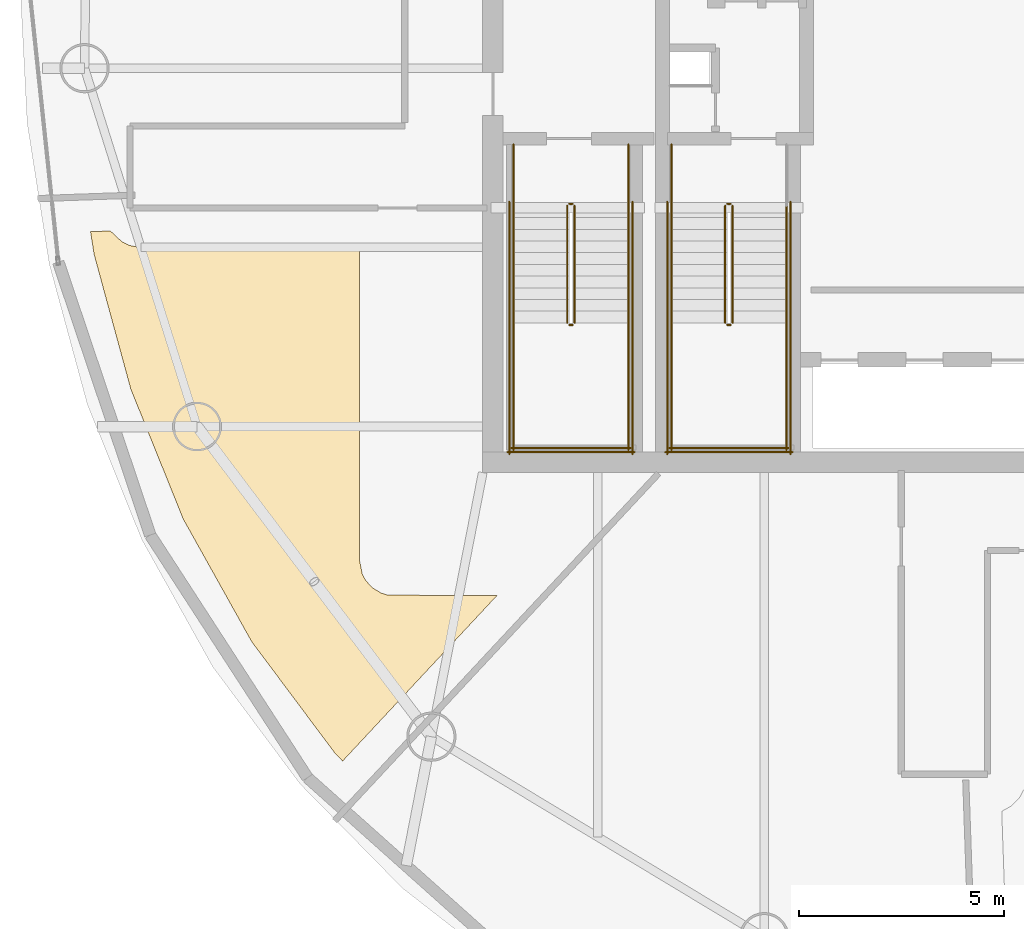
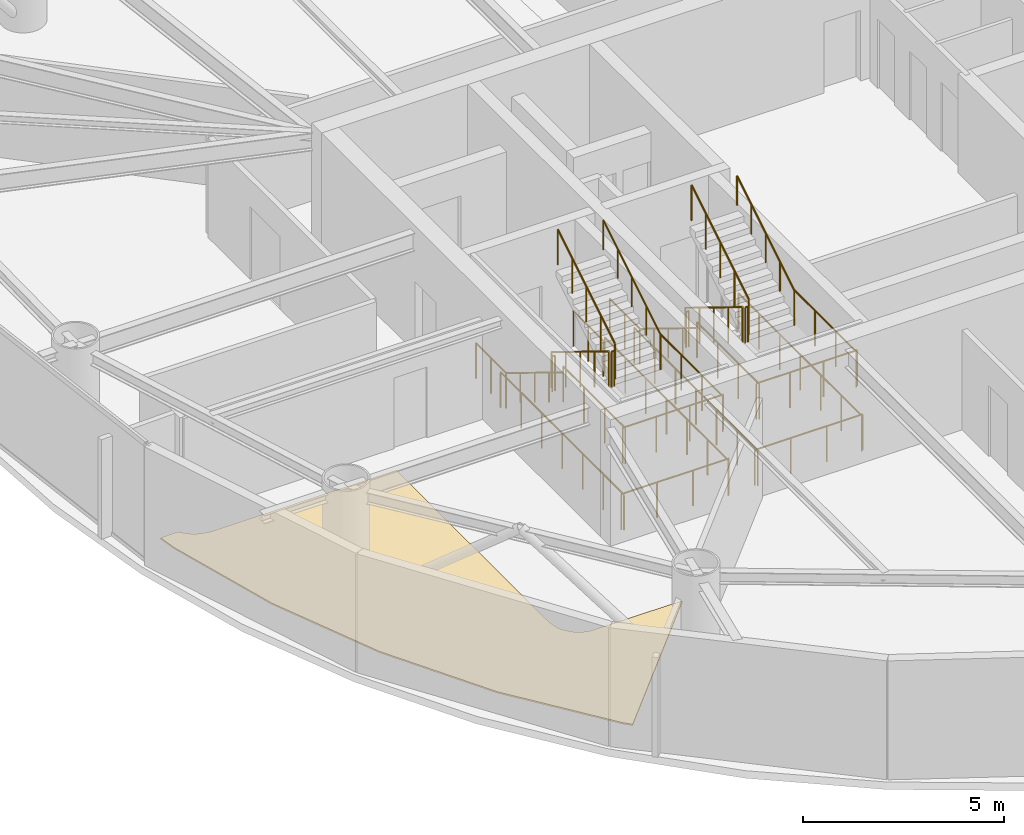
# One storey, part 18 of 20: 27 railings, 1 covering.
"""IFC4 building model written with IfcOpenShell, lengths in metres."""

from ifc_helpers import new_model, si_unit, direction, frame, origin, origin_2d, place, context, subcontext, project, spatial, polyline, circle, outline, extrude, material, layer, layer_set, type_object, element, save


model = new_model("IFC4")

# Units and contexts
model_context = context("Model", 3, precision=1e-05, world=origin(), true_north=direction((0.0, 1.0)))
body_context = subcontext(model_context, "Body", "Model", "MODEL_VIEW")
ifc_project = project(units=[si_unit("LENGTHUNIT", "METRE"), si_unit("AREAUNIT", "SQUARE_METRE"), si_unit("VOLUMEUNIT", "CUBIC_METRE"), si_unit("PLANEANGLEUNIT", "RADIAN"), si_unit("MASSUNIT", "GRAM", prefix="KILO")], contexts=[model_context])

# Site, building, storey
site_placement = place(None, origin())
site = spatial("IfcSite", under=ifc_project, at=site_placement, CompositionType="ELEMENT")
building_placement = place(site_placement, origin())
building = spatial("IfcBuilding", under=site, at=building_placement, Name="Bramvorn Convention Spire", CompositionType="ELEMENT")
storey_placement = place(building_placement, frame((0.0, 0.0, 228.949951171875)))
storey = spatial("IfcBuildingStorey", under=building, at=storey_placement, Name="L58", CompositionType="ELEMENT", Elevation=228.949951171875)

# Covering
ifc_material_1 = material(Name="Calcium-Sulphate Raised Access Office Floor", Category="steel")
ifc_layer = layer(ifc_material_1, 0.044921875)
ifc_layer_set = layer_set([ifc_layer], Name="Calcium-Sulphate Raised Access Office Floor - FLR-RAISED-45")
covering_type = type_object("IfcCoveringType", Name="FLR-RAISED-45", PredefinedType="FLOORING", material=ifc_layer_set)
covering_placement = place(storey_placement, origin())
element("IfcCovering", 1, at=covering_placement, inside=storey, type_object=covering_type, Name="L58 Galley Kitchen 5 raised floor finish", PredefinedType="FLOORING", context=body_context, shape_type="SweptSolid", body=[
    extrude(outline(polyline([(17.191650390625, 24.4228515625), (17.27978515625, 23.8662109375), (18.174072265625, 20.5849609375), (19.452880859375, 17.4150390625), (21.1181640625, 14.43212890625), (23.15869140625, 11.698974609375), (23.334716796875, 11.519775390625), (27.093017578125, 15.550048828125), (24.43408203125, 15.56640625), (24.274658203125, 15.61474609375), (24.060791015625, 15.742919921875), (23.893310546875, 15.927734375), (23.814697265625, 16.07470703125), (23.75, 16.39990234375), (23.75, 24.030029296875), (18.412109375, 24.03173828125), (18.136962890625, 24.087890625), (17.960693359375, 24.1728515625), (17.67529296875, 24.439697265625), (17.191650390625, 24.4228515625)])), origin(), (0.0, 0.0, 1.0), 0.045166015625),
])

# Railings
ifc_material_2 = material(Name="Painted Steel Balustrade & Guardrail", Category="steel")
railing_type_1 = type_object("IfcRailingType", Name="RL-STAIR-GUARD-1100", PredefinedType="GUARDRAIL", material=ifc_material_2)
railing_1_placement = place(storey_placement, frame((28.81005859375, 25.050048828125, 0.175048828125)))
element("IfcRailing", 2, at=railing_1_placement, inside=storey, type_object=railing_type_1, Name="L58 ST1 stair guard 1", PredefinedType="GUARDRAIL", context=body_context, shape_type="SweptSolid", body=[
    extrude(circle(Radius=0.02392578125, at=origin_2d()), frame((0.0, 0.0, 1.076171875), z_axis=(0.0, -0.852179220489, 0.52325001306), x_axis=(1.0, 0.0, 0.0)), (0.0, 0.0, 1.0), 3.344482421875),
    extrude(circle(Radius=0.02099609375, at=origin_2d()), origin(), (0.0, 0.0, 1.0), 1.052001953125),
    extrude(circle(Radius=0.02099609375, at=origin_2d()), frame((0.0, -0.71240234375, 0.4375)), (0.0, 0.0, 1.0), 1.052001953125),
    extrude(circle(Radius=0.02099609375, at=origin_2d()), frame((0.0, -1.425048828125, 0.875)), (0.0, 0.0, 1.0), 1.052001953125),
    extrude(circle(Radius=0.02099609375, at=origin_2d()), frame((0.0, -2.1376953125, 1.3125)), (0.0, 0.0, 1.0), 1.052001953125),
    extrude(circle(Radius=0.02099609375, at=origin_2d()), frame((0.0, -2.85009765625, 1.75)), (0.0, 0.0, 1.0), 1.052001953125),
])
railing_2_placement = place(storey_placement, frame((28.860107421875, 22.14990234375, 1.925048828125)))
element("IfcRailing", 3, at=railing_2_placement, inside=storey, type_object=railing_type_1, Name="L58 ST1 stair guard 2", PredefinedType="GUARDRAIL", context=body_context, shape_type="SweptSolid", body=[
    extrude(circle(Radius=0.02392578125, at=origin_2d()), frame((0.0, 0.0, 1.076171875), z_axis=(1.0, 0.0, 0.0), x_axis=(0.0, 1.0, 0.0)), (0.0, 0.0, 1.0), 0.079833984375),
    extrude(circle(Radius=0.02099609375, at=origin_2d()), origin(), (0.0, 0.0, 1.0), 1.052001953125),
    extrude(circle(Radius=0.02099609375, at=origin_2d()), frame((0.079833984375, 0.0, 0.0)), (0.0, 0.0, 1.0), 1.052001953125),
])
for number, where, name in (
    (4, (27.5, 22.199951171875, 1.925048828125), "L58 ST1 stair guard 3"),
    (5, (30.300048828125, 22.199951171875, 1.925048828125), "L58 ST1 stair guard 4"),
):
    element("IfcRailing", number, at=place(storey_placement, frame(where)), inside=storey, type_object=railing_type_1, Name=name, PredefinedType="GUARDRAIL", context=body_context, shape_type="SweptSolid", body=[
        extrude(circle(Radius=0.02392578125, at=origin_2d()), frame((0.0, 0.0, 1.076171875), z_axis=(0.0, -1.0, 0.0), x_axis=(1.0, 0.0, 0.0)), (0.0, 0.0, 1.0), 3.099853515625),
        extrude(circle(Radius=0.02099609375, at=origin_2d()), origin(), (0.0, 0.0, 1.0), 1.052001953125),
        extrude(circle(Radius=0.02099609375, at=origin_2d()), frame((0.0, -1.033203125, 0.0)), (0.0, 0.0, 1.0), 1.052001953125),
        extrude(circle(Radius=0.02099609375, at=origin_2d()), frame((0.0, -2.066650390625, 0.0)), (0.0, 0.0, 1.0), 1.052001953125),
        extrude(circle(Radius=0.02099609375, at=origin_2d()), frame((0.0, -3.099853515625, 0.0)), (0.0, 0.0, 1.0), 1.052001953125),
    ])
railing_3_placement = place(storey_placement, frame((27.449951171875, 19.14990234375, 1.925048828125)))
element("IfcRailing", 6, at=railing_3_placement, inside=storey, type_object=railing_type_1, Name="L58 ST1 stair guard 5", PredefinedType="GUARDRAIL", context=body_context, shape_type="SweptSolid", body=[
    extrude(circle(Radius=0.02392578125, at=origin_2d()), frame((0.0, 0.0, 1.076171875), z_axis=(1.0, 0.0, 0.0), x_axis=(0.0, 1.0, 0.0)), (0.0, 0.0, 1.0), 2.900146484375),
    extrude(circle(Radius=0.02099609375, at=origin_2d()), origin(), (0.0, 0.0, 1.0), 1.052001953125),
    extrude(circle(Radius=0.02099609375, at=origin_2d()), frame((0.966796875, 0.0, 0.0)), (0.0, 0.0, 1.0), 1.052001953125),
    extrude(circle(Radius=0.02099609375, at=origin_2d()), frame((1.933349609375, 0.0, 0.0)), (0.0, 0.0, 1.0), 1.052001953125),
    extrude(circle(Radius=0.02099609375, at=origin_2d()), frame((2.900146484375, 0.0, 0.0)), (0.0, 0.0, 1.0), 1.052001953125),
])
railing_4_placement = place(storey_placement, frame((28.989990234375, 22.199951171875, 2.10009765625)))
element("IfcRailing", 7, at=railing_4_placement, inside=storey, type_object=railing_type_1, Name="L58 ST1 stair guard 6", PredefinedType="GUARDRAIL", context=body_context, shape_type="SweptSolid", body=[
    extrude(circle(Radius=0.02392578125, at=origin_2d()), frame((0.0, 0.0, 1.076171875), z_axis=(0.0, 0.852179220489, 0.52325001306), x_axis=(-1.0, 0.0, 0.0)), (0.0, 0.0, 1.0), 3.344482421875),
    extrude(circle(Radius=0.02099609375, at=origin_2d()), origin(), (0.0, 0.0, 1.0), 1.052001953125),
    extrude(circle(Radius=0.02099609375, at=origin_2d()), frame((0.0, 0.71240234375, 0.4375)), (0.0, 0.0, 1.0), 1.052001953125),
    extrude(circle(Radius=0.02099609375, at=origin_2d()), frame((0.0, 1.425048828125, 0.875)), (0.0, 0.0, 1.0), 1.052001953125),
    extrude(circle(Radius=0.02099609375, at=origin_2d()), frame((0.0, 2.1376953125, 1.3125)), (0.0, 0.0, 1.0), 1.052001953125),
    extrude(circle(Radius=0.02099609375, at=origin_2d()), frame((0.0, 2.85009765625, 1.75)), (0.0, 0.0, 1.0), 1.052001953125),
])
railing_5_placement = place(storey_placement, frame((28.860107421875, 25.10009765625, 0.0)))
element("IfcRailing", 8, at=railing_5_placement, inside=storey, type_object=railing_type_1, Name="L58 ST1 stair guard 7", PredefinedType="GUARDRAIL", context=body_context, shape_type="SweptSolid", body=[
    extrude(circle(Radius=0.02392578125, at=origin_2d()), frame((0.0, 0.0, 1.076171875), z_axis=(1.0, 0.0, 0.0), x_axis=(0.0, 1.0, 0.0)), (0.0, 0.0, 1.0), 0.079833984375),
    extrude(circle(Radius=0.02099609375, at=origin_2d()), origin(), (0.0, 0.0, 1.0), 1.052001953125),
    extrude(circle(Radius=0.02099609375, at=origin_2d()), frame((0.079833984375, 0.0, 0.0)), (0.0, 0.0, 1.0), 1.052001953125),
])
for number, where, name in (
    (9, (27.5, 26.550048828125, 0.0), "L58 ST1 stair guard 8"),
    (10, (30.300048828125, 26.550048828125, 0.0), "L58 ST1 stair guard 9"),
):
    element("IfcRailing", number, at=place(storey_placement, frame(where)), inside=storey, type_object=railing_type_1, Name=name, PredefinedType="GUARDRAIL", context=body_context, shape_type="SweptSolid", body=[
        extrude(circle(Radius=0.02392578125, at=origin_2d()), frame((0.0, 0.0, 1.076171875), z_axis=(0.0, -1.0, 0.0), x_axis=(1.0, 0.0, 0.0)), (0.0, 0.0, 1.0), 1.5),
        extrude(circle(Radius=0.02099609375, at=origin_2d()), origin(), (0.0, 0.0, 1.0), 1.052001953125),
        extrude(circle(Radius=0.02099609375, at=origin_2d()), frame((0.0, -0.75, 0.0)), (0.0, 0.0, 1.0), 1.052001953125),
        extrude(circle(Radius=0.02099609375, at=origin_2d()), frame((0.0, -1.5, 0.0)), (0.0, 0.0, 1.0), 1.052001953125),
    ])
for number, where, name in (
    (11, (27.39990234375, 25.14990234375, 0.0), "L58 ST1 stair guard 10"),
    (12, (30.39990234375, 25.14990234375, 0.0), "L58 ST1 stair guard 11"),
):
    element("IfcRailing", number, at=place(storey_placement, frame(where)), inside=storey, type_object=railing_type_1, Name=name, PredefinedType="GUARDRAIL", context=body_context, shape_type="SweptSolid", body=[
        extrude(circle(Radius=0.02392578125, at=origin_2d()), frame((0.0, 0.0, 1.076171875), z_axis=(0.0, -1.0, 0.0), x_axis=(1.0, 0.0, 0.0)), (0.0, 0.0, 1.0), 6.14990234375),
        extrude(circle(Radius=0.02099609375, at=origin_2d()), origin(), (0.0, 0.0, 1.0), 1.052001953125),
        extrude(circle(Radius=0.02099609375, at=origin_2d()), frame((0.0, -1.02490234375, 0.0)), (0.0, 0.0, 1.0), 1.052001953125),
        extrude(circle(Radius=0.02099609375, at=origin_2d()), frame((0.0, -2.050048828125, 0.0)), (0.0, 0.0, 1.0), 1.052001953125),
        extrude(circle(Radius=0.02099609375, at=origin_2d()), frame((0.0, -3.074951171875, 0.0)), (0.0, 0.0, 1.0), 1.052001953125),
        extrude(circle(Radius=0.02099609375, at=origin_2d()), frame((0.0, -4.099853515625, 0.0)), (0.0, 0.0, 1.0), 1.052001953125),
        extrude(circle(Radius=0.02099609375, at=origin_2d()), frame((0.0, -5.125, 0.0)), (0.0, 0.0, 1.0), 1.052001953125),
        extrude(circle(Radius=0.02099609375, at=origin_2d()), frame((0.0, -6.14990234375, 0.0)), (0.0, 0.0, 1.0), 1.052001953125),
    ])
railing_6_placement = place(storey_placement, frame((27.35009765625, 19.050048828125, 0.0)))
element("IfcRailing", 13, at=railing_6_placement, inside=storey, type_object=railing_type_1, Name="L58 ST1 stair guard 12", PredefinedType="GUARDRAIL", context=body_context, shape_type="SweptSolid", body=[
    extrude(circle(Radius=0.02392578125, at=origin_2d()), frame((0.0, 0.0, 1.076171875), z_axis=(1.0, 0.0, 0.0), x_axis=(0.0, 1.0, 0.0)), (0.0, 0.0, 1.0), 3.099853515625),
    extrude(circle(Radius=0.02099609375, at=origin_2d()), origin(), (0.0, 0.0, 1.0), 1.052001953125),
    extrude(circle(Radius=0.02099609375, at=origin_2d()), frame((1.033203125, 0.0, 0.0)), (0.0, 0.0, 1.0), 1.052001953125),
    extrude(circle(Radius=0.02099609375, at=origin_2d()), frame((2.066650390625, 0.0, 0.0)), (0.0, 0.0, 1.0), 1.052001953125),
    extrude(circle(Radius=0.02099609375, at=origin_2d()), frame((3.099853515625, 0.0, 0.0)), (0.0, 0.0, 1.0), 1.052001953125),
])
railing_7_placement = place(storey_placement, frame((32.659912109375, 25.050048828125, 0.175048828125)))
element("IfcRailing", 14, at=railing_7_placement, inside=storey, type_object=railing_type_1, Name="L58 ST3 stair guard 1", PredefinedType="GUARDRAIL", context=body_context, shape_type="SweptSolid", body=[
    extrude(circle(Radius=0.02392578125, at=origin_2d()), frame((0.0, 0.0, 1.076171875), z_axis=(0.0, -0.852179220489, 0.52325001306), x_axis=(1.0, 0.0, 0.0)), (0.0, 0.0, 1.0), 3.344482421875),
    extrude(circle(Radius=0.02099609375, at=origin_2d()), origin(), (0.0, 0.0, 1.0), 1.052001953125),
    extrude(circle(Radius=0.02099609375, at=origin_2d()), frame((0.0, -0.71240234375, 0.4375)), (0.0, 0.0, 1.0), 1.052001953125),
    extrude(circle(Radius=0.02099609375, at=origin_2d()), frame((0.0, -1.425048828125, 0.875)), (0.0, 0.0, 1.0), 1.052001953125),
    extrude(circle(Radius=0.02099609375, at=origin_2d()), frame((0.0, -2.1376953125, 1.3125)), (0.0, 0.0, 1.0), 1.052001953125),
    extrude(circle(Radius=0.02099609375, at=origin_2d()), frame((0.0, -2.85009765625, 1.75)), (0.0, 0.0, 1.0), 1.052001953125),
])
railing_8_placement = place(storey_placement, frame((32.7099609375, 22.14990234375, 1.925048828125)))
element("IfcRailing", 15, at=railing_8_placement, inside=storey, type_object=railing_type_1, Name="L58 ST3 stair guard 2", PredefinedType="GUARDRAIL", context=body_context, shape_type="SweptSolid", body=[
    extrude(circle(Radius=0.02392578125, at=origin_2d()), frame((0.0, 0.0, 1.076171875), z_axis=(1.0, 0.0, 0.0), x_axis=(0.0, 1.0, 0.0)), (0.0, 0.0, 1.0), 0.080078125),
    extrude(circle(Radius=0.02099609375, at=origin_2d()), origin(), (0.0, 0.0, 1.0), 1.052001953125),
    extrude(circle(Radius=0.02099609375, at=origin_2d()), frame((0.080078125, 0.0, 0.0)), (0.0, 0.0, 1.0), 1.052001953125),
])
for number, where, name in (
    (16, (31.35009765625, 22.199951171875, 1.925048828125), "L58 ST3 stair guard 3"),
    (17, (34.14990234375, 22.199951171875, 1.925048828125), "L58 ST3 stair guard 4"),
):
    element("IfcRailing", number, at=place(storey_placement, frame(where)), inside=storey, type_object=railing_type_1, Name=name, PredefinedType="GUARDRAIL", context=body_context, shape_type="SweptSolid", body=[
        extrude(circle(Radius=0.02392578125, at=origin_2d()), frame((0.0, 0.0, 1.076171875), z_axis=(0.0, -1.0, 0.0), x_axis=(1.0, 0.0, 0.0)), (0.0, 0.0, 1.0), 3.099853515625),
        extrude(circle(Radius=0.02099609375, at=origin_2d()), origin(), (0.0, 0.0, 1.0), 1.052001953125),
        extrude(circle(Radius=0.02099609375, at=origin_2d()), frame((0.0, -1.033203125, 0.0)), (0.0, 0.0, 1.0), 1.052001953125),
        extrude(circle(Radius=0.02099609375, at=origin_2d()), frame((0.0, -2.066650390625, 0.0)), (0.0, 0.0, 1.0), 1.052001953125),
        extrude(circle(Radius=0.02099609375, at=origin_2d()), frame((0.0, -3.099853515625, 0.0)), (0.0, 0.0, 1.0), 1.052001953125),
    ])
railing_9_placement = place(storey_placement, frame((31.300048828125, 19.14990234375, 1.925048828125)))
element("IfcRailing", 18, at=railing_9_placement, inside=storey, type_object=railing_type_1, Name="L58 ST3 stair guard 5", PredefinedType="GUARDRAIL", context=body_context, shape_type="SweptSolid", body=[
    extrude(circle(Radius=0.02392578125, at=origin_2d()), frame((0.0, 0.0, 1.076171875), z_axis=(1.0, 0.0, 0.0), x_axis=(0.0, 1.0, 0.0)), (0.0, 0.0, 1.0), 2.89990234375),
    extrude(circle(Radius=0.02099609375, at=origin_2d()), origin(), (0.0, 0.0, 1.0), 1.052001953125),
    extrude(circle(Radius=0.02099609375, at=origin_2d()), frame((0.966552734375, 0.0, 0.0)), (0.0, 0.0, 1.0), 1.052001953125),
    extrude(circle(Radius=0.02099609375, at=origin_2d()), frame((1.933349609375, 0.0, 0.0)), (0.0, 0.0, 1.0), 1.052001953125),
    extrude(circle(Radius=0.02099609375, at=origin_2d()), frame((2.89990234375, 0.0, 0.0)), (0.0, 0.0, 1.0), 1.052001953125),
])
railing_10_placement = place(storey_placement, frame((32.840087890625, 22.199951171875, 2.10009765625)))
element("IfcRailing", 19, at=railing_10_placement, inside=storey, type_object=railing_type_1, Name="L58 ST3 stair guard 6", PredefinedType="GUARDRAIL", context=body_context, shape_type="SweptSolid", body=[
    extrude(circle(Radius=0.02392578125, at=origin_2d()), frame((0.0, 0.0, 1.076171875), z_axis=(0.0, 0.852179220489, 0.52325001306), x_axis=(-1.0, 0.0, 0.0)), (0.0, 0.0, 1.0), 3.344482421875),
    extrude(circle(Radius=0.02099609375, at=origin_2d()), origin(), (0.0, 0.0, 1.0), 1.052001953125),
    extrude(circle(Radius=0.02099609375, at=origin_2d()), frame((0.0, 0.71240234375, 0.4375)), (0.0, 0.0, 1.0), 1.052001953125),
    extrude(circle(Radius=0.02099609375, at=origin_2d()), frame((0.0, 1.425048828125, 0.875)), (0.0, 0.0, 1.0), 1.052001953125),
    extrude(circle(Radius=0.02099609375, at=origin_2d()), frame((0.0, 2.1376953125, 1.3125)), (0.0, 0.0, 1.0), 1.052001953125),
    extrude(circle(Radius=0.02099609375, at=origin_2d()), frame((0.0, 2.85009765625, 1.75)), (0.0, 0.0, 1.0), 1.052001953125),
])
railing_11_placement = place(storey_placement, frame((32.7099609375, 25.10009765625, 0.0)))
element("IfcRailing", 20, at=railing_11_placement, inside=storey, type_object=railing_type_1, Name="L58 ST3 stair guard 7", PredefinedType="GUARDRAIL", context=body_context, shape_type="SweptSolid", body=[
    extrude(circle(Radius=0.02392578125, at=origin_2d()), frame((0.0, 0.0, 1.076171875), z_axis=(1.0, 0.0, 0.0), x_axis=(0.0, 1.0, 0.0)), (0.0, 0.0, 1.0), 0.080078125),
    extrude(circle(Radius=0.02099609375, at=origin_2d()), origin(), (0.0, 0.0, 1.0), 1.052001953125),
    extrude(circle(Radius=0.02099609375, at=origin_2d()), frame((0.080078125, 0.0, 0.0)), (0.0, 0.0, 1.0), 1.052001953125),
])
railing_12_placement = place(storey_placement, frame((31.35009765625, 26.550048828125, 0.0)))
element("IfcRailing", 21, at=railing_12_placement, inside=storey, type_object=railing_type_1, Name="L58 ST3 stair guard 8", PredefinedType="GUARDRAIL", context=body_context, shape_type="SweptSolid", body=[
    extrude(circle(Radius=0.02392578125, at=origin_2d()), frame((0.0, 0.0, 1.076171875), z_axis=(0.0, -1.0, 0.0), x_axis=(1.0, 0.0, 0.0)), (0.0, 0.0, 1.0), 1.5),
    extrude(circle(Radius=0.02099609375, at=origin_2d()), origin(), (0.0, 0.0, 1.0), 1.052001953125),
    extrude(circle(Radius=0.02099609375, at=origin_2d()), frame((0.0, -0.75, 0.0)), (0.0, 0.0, 1.0), 1.052001953125),
    extrude(circle(Radius=0.02099609375, at=origin_2d()), frame((0.0, -1.5, 0.0)), (0.0, 0.0, 1.0), 1.052001953125),
])
for number, where, name in (
    (22, (31.25, 25.14990234375, 0.0), "L58 ST3 stair guard 10"),
    (23, (34.25, 25.14990234375, 0.0), "L58 ST3 stair guard 11"),
):
    element("IfcRailing", number, at=place(storey_placement, frame(where)), inside=storey, type_object=railing_type_1, Name=name, PredefinedType="GUARDRAIL", context=body_context, shape_type="SweptSolid", body=[
        extrude(circle(Radius=0.02392578125, at=origin_2d()), frame((0.0, 0.0, 1.076171875), z_axis=(0.0, -1.0, 0.0), x_axis=(1.0, 0.0, 0.0)), (0.0, 0.0, 1.0), 6.14990234375),
        extrude(circle(Radius=0.02099609375, at=origin_2d()), origin(), (0.0, 0.0, 1.0), 1.052001953125),
        extrude(circle(Radius=0.02099609375, at=origin_2d()), frame((0.0, -1.02490234375, 0.0)), (0.0, 0.0, 1.0), 1.052001953125),
        extrude(circle(Radius=0.02099609375, at=origin_2d()), frame((0.0, -2.050048828125, 0.0)), (0.0, 0.0, 1.0), 1.052001953125),
        extrude(circle(Radius=0.02099609375, at=origin_2d()), frame((0.0, -3.074951171875, 0.0)), (0.0, 0.0, 1.0), 1.052001953125),
        extrude(circle(Radius=0.02099609375, at=origin_2d()), frame((0.0, -4.099853515625, 0.0)), (0.0, 0.0, 1.0), 1.052001953125),
        extrude(circle(Radius=0.02099609375, at=origin_2d()), frame((0.0, -5.125, 0.0)), (0.0, 0.0, 1.0), 1.052001953125),
        extrude(circle(Radius=0.02099609375, at=origin_2d()), frame((0.0, -6.14990234375, 0.0)), (0.0, 0.0, 1.0), 1.052001953125),
    ])
railing_13_placement = place(storey_placement, frame((31.199951171875, 19.050048828125, 0.0)))
element("IfcRailing", 24, at=railing_13_placement, inside=storey, type_object=railing_type_1, Name="L58 ST3 stair guard 12", PredefinedType="GUARDRAIL", context=body_context, shape_type="SweptSolid", body=[
    extrude(circle(Radius=0.02392578125, at=origin_2d()), frame((0.0, 0.0, 1.076171875), z_axis=(1.0, 0.0, 0.0), x_axis=(0.0, 1.0, 0.0)), (0.0, 0.0, 1.0), 3.10009765625),
    extrude(circle(Radius=0.02099609375, at=origin_2d()), origin(), (0.0, 0.0, 1.0), 1.052001953125),
    extrude(circle(Radius=0.02099609375, at=origin_2d()), frame((1.033447265625, 0.0, 0.0)), (0.0, 0.0, 1.0), 1.052001953125),
    extrude(circle(Radius=0.02099609375, at=origin_2d()), frame((2.066650390625, 0.0, 0.0)), (0.0, 0.0, 1.0), 1.052001953125),
    extrude(circle(Radius=0.02099609375, at=origin_2d()), frame((3.10009765625, 0.0, 0.0)), (0.0, 0.0, 1.0), 1.052001953125),
])
ifc_material_3 = material(Name="Brushed Bronze Tubular Handrail", Category="aluminium")
railing_type_2 = type_object("IfcRailingType", Name="RL-STAIR-HR-920", PredefinedType="HANDRAIL", material=ifc_material_3)
railing_14_placement = place(storey_placement, frame((27.5, 25.050048828125, 0.175048828125)))
element("IfcRailing", 25, at=railing_14_placement, inside=storey, type_object=railing_type_2, Name="L58 ST1 stair handrail 1", PredefinedType="HANDRAIL", context=body_context, shape_type="SweptSolid", body=[
    extrude(circle(Radius=0.02392578125, at=origin_2d()), frame((0.0, 0.0, 0.89599609375), z_axis=(0.0, -0.852179220489, 0.52325001306), x_axis=(1.0, 0.0, 0.0)), (0.0, 0.0, 1.0), 3.344482421875),
    extrude(circle(Radius=0.02099609375, at=origin_2d()), origin(), (0.0, 0.0, 1.0), 0.871826171875),
    extrude(circle(Radius=0.02099609375, at=origin_2d()), frame((0.0, -0.71240234375, 0.4375)), (0.0, 0.0, 1.0), 0.871826171875),
    extrude(circle(Radius=0.02099609375, at=origin_2d()), frame((0.0, -1.425048828125, 0.875)), (0.0, 0.0, 1.0), 0.871826171875),
    extrude(circle(Radius=0.02099609375, at=origin_2d()), frame((0.0, -2.1376953125, 1.3125)), (0.0, 0.0, 1.0), 0.871826171875),
    extrude(circle(Radius=0.02099609375, at=origin_2d()), frame((0.0, -2.85009765625, 1.75)), (0.0, 0.0, 1.0), 0.871826171875),
])
railing_15_placement = place(storey_placement, frame((30.300048828125, 22.199951171875, 2.10009765625)))
element("IfcRailing", 26, at=railing_15_placement, inside=storey, type_object=railing_type_2, Name="L58 ST1 stair handrail 2", PredefinedType="HANDRAIL", context=body_context, shape_type="SweptSolid", body=[
    extrude(circle(Radius=0.02392578125, at=origin_2d()), frame((0.0, 0.0, 0.89599609375), z_axis=(0.0, 0.852179220489, 0.52325001306), x_axis=(-1.0, 0.0, 0.0)), (0.0, 0.0, 1.0), 3.344482421875),
    extrude(circle(Radius=0.02099609375, at=origin_2d()), origin(), (0.0, 0.0, 1.0), 0.871826171875),
    extrude(circle(Radius=0.02099609375, at=origin_2d()), frame((0.0, 0.71240234375, 0.4375)), (0.0, 0.0, 1.0), 0.871826171875),
    extrude(circle(Radius=0.02099609375, at=origin_2d()), frame((0.0, 1.425048828125, 0.875)), (0.0, 0.0, 1.0), 0.871826171875),
    extrude(circle(Radius=0.02099609375, at=origin_2d()), frame((0.0, 2.1376953125, 1.3125)), (0.0, 0.0, 1.0), 0.871826171875),
    extrude(circle(Radius=0.02099609375, at=origin_2d()), frame((0.0, 2.85009765625, 1.75)), (0.0, 0.0, 1.0), 0.871826171875),
])
railing_16_placement = place(storey_placement, frame((31.35009765625, 25.050048828125, 0.175048828125)))
element("IfcRailing", 27, at=railing_16_placement, inside=storey, type_object=railing_type_2, Name="L58 ST3 stair handrail 1", PredefinedType="HANDRAIL", context=body_context, shape_type="SweptSolid", body=[
    extrude(circle(Radius=0.02392578125, at=origin_2d()), frame((0.0, 0.0, 0.89599609375), z_axis=(0.0, -0.852179220489, 0.52325001306), x_axis=(1.0, 0.0, 0.0)), (0.0, 0.0, 1.0), 3.344482421875),
    extrude(circle(Radius=0.02099609375, at=origin_2d()), origin(), (0.0, 0.0, 1.0), 0.871826171875),
    extrude(circle(Radius=0.02099609375, at=origin_2d()), frame((0.0, -0.71240234375, 0.4375)), (0.0, 0.0, 1.0), 0.871826171875),
    extrude(circle(Radius=0.02099609375, at=origin_2d()), frame((0.0, -1.425048828125, 0.875)), (0.0, 0.0, 1.0), 0.871826171875),
    extrude(circle(Radius=0.02099609375, at=origin_2d()), frame((0.0, -2.1376953125, 1.3125)), (0.0, 0.0, 1.0), 0.871826171875),
    extrude(circle(Radius=0.02099609375, at=origin_2d()), frame((0.0, -2.85009765625, 1.75)), (0.0, 0.0, 1.0), 0.871826171875),
])
railing_17_placement = place(storey_placement, frame((34.14990234375, 22.199951171875, 2.10009765625)))
element("IfcRailing", 28, at=railing_17_placement, inside=storey, type_object=railing_type_2, Name="L58 ST3 stair handrail 2", PredefinedType="HANDRAIL", context=body_context, shape_type="SweptSolid", body=[
    extrude(circle(Radius=0.02392578125, at=origin_2d()), frame((0.0, 0.0, 0.89599609375), z_axis=(0.0, 0.852179220489, 0.52325001306), x_axis=(-1.0, 0.0, 0.0)), (0.0, 0.0, 1.0), 3.344482421875),
    extrude(circle(Radius=0.02099609375, at=origin_2d()), origin(), (0.0, 0.0, 1.0), 0.871826171875),
    extrude(circle(Radius=0.02099609375, at=origin_2d()), frame((0.0, 0.71240234375, 0.4375)), (0.0, 0.0, 1.0), 0.871826171875),
    extrude(circle(Radius=0.02099609375, at=origin_2d()), frame((0.0, 1.425048828125, 0.875)), (0.0, 0.0, 1.0), 0.871826171875),
    extrude(circle(Radius=0.02099609375, at=origin_2d()), frame((0.0, 2.1376953125, 1.3125)), (0.0, 0.0, 1.0), 0.871826171875),
    extrude(circle(Radius=0.02099609375, at=origin_2d()), frame((0.0, 2.85009765625, 1.75)), (0.0, 0.0, 1.0), 0.871826171875),
])

save(model, "model.ifc")
